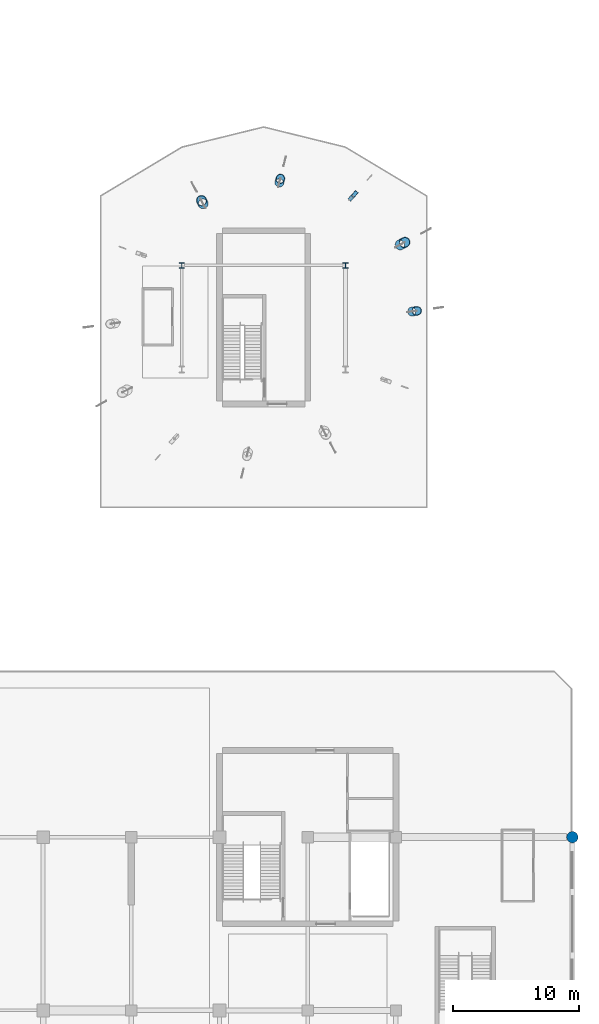
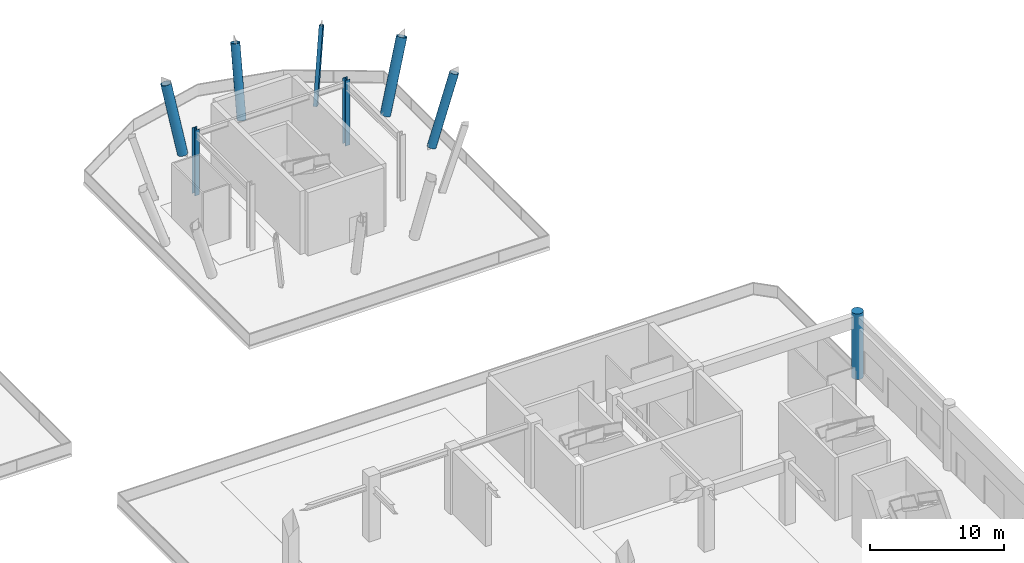
# One storey, part 21 of 73: 8 columns.
"""IFC4 building model written with IfcOpenShell, lengths in metres."""

from ifc_helpers import new_model, si_unit, direction, frame, origin, origin_2d, place, context, subcontext, project, spatial, hollow_rectangle, circle, hollow_circle, i_section, extrude, material, material_profile, profile_set, type_object, element, save


model = new_model("IFC4")

# Units and contexts
model_context = context("Model", 3, precision=1e-05, world=origin(), true_north=direction((0.0, 1.0)))
body_context = subcontext(model_context, "Body", "Model", "MODEL_VIEW")
ifc_project = project(units=[si_unit("LENGTHUNIT", "METRE"), si_unit("AREAUNIT", "SQUARE_METRE"), si_unit("VOLUMEUNIT", "CUBIC_METRE"), si_unit("PLANEANGLEUNIT", "RADIAN"), si_unit("MASSUNIT", "GRAM", prefix="KILO")], contexts=[model_context])

# Site, building, storey
site_placement = place(None, origin())
site = spatial("IfcSite", under=ifc_project, at=site_placement, CompositionType="ELEMENT")
building_placement = place(site_placement, origin())
building = spatial("IfcBuilding", under=site, at=building_placement, Name="Linyun Crest Stadium", CompositionType="ELEMENT")
storey_placement = place(building_placement, origin())
storey = spatial("IfcBuildingStorey", under=building, at=storey_placement, Name="L01", CompositionType="ELEMENT", Elevation=0.0)

# Columns
ifc_material_1 = material(Name="Concrete C50", Category="concrete")
ifc_material_profile_1 = material_profile(ifc_material_1, circle(Radius=0.449951171875, at=origin_2d()), Name="RC D900")
ifc_profile_set_1 = profile_set([ifc_material_profile_1], Name="Concrete C50")
column_type_1 = type_object("IfcColumnType", Name="C08", PredefinedType="COLUMN", material=ifc_profile_set_1)
column_1_placement = place(storey_placement, frame((98.0, 43.375, 0.0), z_axis=(0.0, 0.0, 1.0), x_axis=(1.0, 0.0, 0.0)))
element("IfcColumn", 1, at=column_1_placement, inside=storey, type_object=column_type_1, Name="Column C08 L01 565", PredefinedType="COLUMN", context=body_context, shape_type="SweptSolid", body=[
    extrude(circle(Radius=0.449951171875, at=origin_2d()), origin(), (0.0, 0.0, 1.0), 5.998046875),
])
ifc_material_2 = material(Name="Steel Q355C", Category="steel")
ifc_material_profile_2 = material_profile(ifc_material_2, i_section(OverallWidth=0.406982421875, OverallDepth=0.427978515625, WebThickness=0.02001953125, FlangeThickness=0.034912109375, at=origin_2d()), Name="HW 428x407")
ifc_profile_set_2 = profile_set([ifc_material_profile_2], Name="Steel Q355C")
column_type_2 = type_object("IfcColumnType", Name="SC03", PredefinedType="COLUMN", material=ifc_profile_set_2)
for number, where, z_axis, x_axis, name in (
    (2, (67.0, 88.75, 0.0), (0.0, 0.0, 1.0), (1.0, 0.0, 0.0), "Column SC03 L01 837"),
    (3, (80.0, 88.75, 0.0), (0.0, 0.0, 1.0), (1.0, 0.0, 0.0), "Column SC03 L01 844"),
):
    element("IfcColumn", number, at=place(storey_placement, frame(where, z_axis=z_axis, x_axis=x_axis)), inside=storey, type_object=column_type_2, Name=name, PredefinedType="COLUMN", context=body_context, shape_type="SweptSolid", body=[
        extrude(i_section(OverallWidth=0.406982421875, OverallDepth=0.427978515625, WebThickness=0.02001953125, FlangeThickness=0.034912109375, at=origin_2d()), origin(), (0.0, 0.0, 1.0), 5.998046875),
    ])
ifc_material_3 = material(Name="Steel Q420C", Category="steel")
ifc_material_profile_3 = material_profile(ifc_material_3, hollow_circle(Radius=0.35546875, WallThickness=0.031982421875, at=origin_2d()), Name="CHS 711x32")
ifc_profile_set_3 = profile_set([ifc_material_profile_3], Name="Steel Q420C")
column_type_3 = type_object("IfcColumnType", Name="VL01", PredefinedType="PILASTER", material=ifc_profile_set_3)
column_2_placement = place(storey_placement, frame((74.7470703125, 95.318115234375, 0.10595703125), z_axis=(0.069670455414, 0.2741113126, 0.959171004538), x_axis=(-0.96918445446, 0.246336138708, 0.0)))
element("IfcColumn", 4, at=column_2_placement, inside=storey, type_object=column_type_3, Name="Inclined V-leg pier VL01 43", PredefinedType="PILASTER", context=body_context, shape_type="SweptSolid", body=[
    extrude(hollow_circle(Radius=0.35546875, WallThickness=0.031982421875, at=origin_2d()), origin(), (0.0, 0.0, 1.0), 6.142822265625),
])
column_3_placement = place(storey_placement, frame((85.26904296875, 85.087890625, 0.126953125), z_axis=(0.340370956998, 0.047212997592, 0.939105182869), x_axis=(-0.137394936006, 0.990516345933, 0.0)))
element("IfcColumn", 5, at=column_3_placement, inside=storey, type_object=column_type_3, Name="Inclined V-leg pier VL01 70", PredefinedType="PILASTER", context=body_context, shape_type="SweptSolid", body=[
    extrude(hollow_circle(Radius=0.35546875, WallThickness=0.031982421875, at=origin_2d()), origin(), (0.0, 0.0, 1.0), 6.251708984375),
])
ifc_material_4 = material(Name="Steel Q420C", Category="steel")
ifc_material_profile_4 = material_profile(ifc_material_4, hollow_circle(Radius=0.406494140625, WallThickness=0.035888671875, at=origin_2d()), Name="CHS 813x36")
ifc_profile_set_4 = profile_set([ifc_material_profile_4], Name="Steel Q420C")
column_type_4 = type_object("IfcColumnType", Name="VL02", PredefinedType="PILASTER", material=ifc_profile_set_4)
column_4_placement = place(storey_placement, frame((84.325927734375, 90.382080078125, 0.155029296875), z_axis=(0.32565804507, 0.173062880004, 0.929513892982), x_axis=(-0.469275854587, 0.883051624936, 0.0)))
element("IfcColumn", 6, at=column_4_placement, inside=storey, type_object=column_type_4, Name="Inclined V-leg pier VL02 37", PredefinedType="PILASTER", context=body_context, shape_type="SweptSolid", body=[
    extrude(hollow_circle(Radius=0.406494140625, WallThickness=0.035888671875, at=origin_2d()), origin(), (0.0, 0.0, 1.0), 6.2861328125),
])
column_5_placement = place(storey_placement, frame((68.698974609375, 93.654052734375, 0.10400390625), z_axis=(-0.114675828693, 0.215694991273, 0.969703627431), x_axis=(-0.882966652267, -0.469435715498, 0.0)))
element("IfcColumn", 7, at=column_5_placement, inside=storey, type_object=column_type_4, Name="Inclined V-leg pier VL02 46", PredefinedType="PILASTER", context=body_context, shape_type="SweptSolid", body=[
    extrude(hollow_circle(Radius=0.406494140625, WallThickness=0.035888671875, at=origin_2d()), origin(), (0.0, 0.0, 1.0), 6.078125),
])
ifc_material_5 = material(Name="Steel Q420C", Category="steel")
ifc_material_profile_5 = material_profile(ifc_material_5, hollow_rectangle(XDim=0.300048828125, YDim=0.5, WallThickness=0.02001953125, at=origin_2d()), Name="RHS 500x300x20")
ifc_profile_set_5 = profile_set([ifc_material_profile_5], Name="Steel Q420C")
column_type_5 = type_object("IfcColumnType", Name="VL03", PredefinedType="PILASTER", material=ifc_profile_set_5)
column_6_placement = place(storey_placement, frame((80.4560546875, 94.113037109375, 0.091064453125), z_axis=(0.229385826453, 0.255934033778, 0.939084614386), x_axis=(-0.744673951362, 0.667428427745, 0.0)))
element("IfcColumn", 8, at=column_6_placement, inside=storey, type_object=column_type_5, Name="Inclined V-leg pier VL03 40", PredefinedType="PILASTER", context=body_context, shape_type="SweptSolid", body=[
    extrude(hollow_rectangle(XDim=0.300048828125, YDim=0.5, WallThickness=0.02001953125, at=origin_2d()), origin(), (0.0, 0.0, 1.0), 6.2900390625),
])

save(model, "model.ifc")
